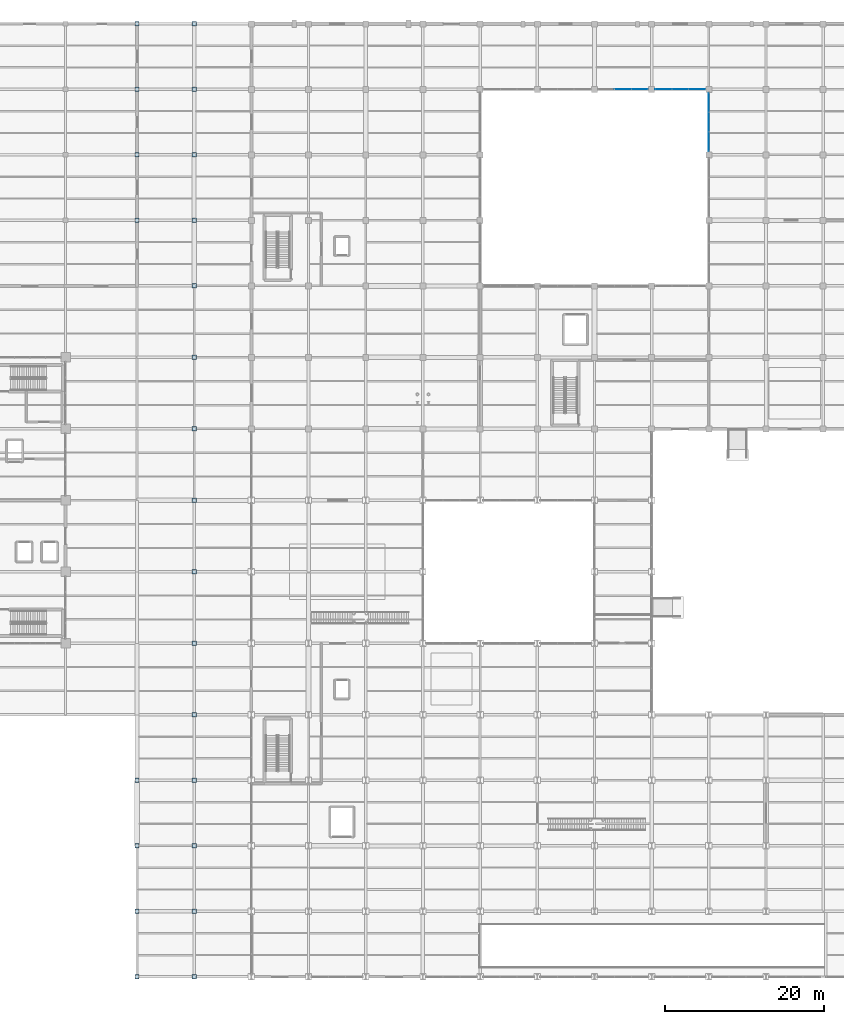
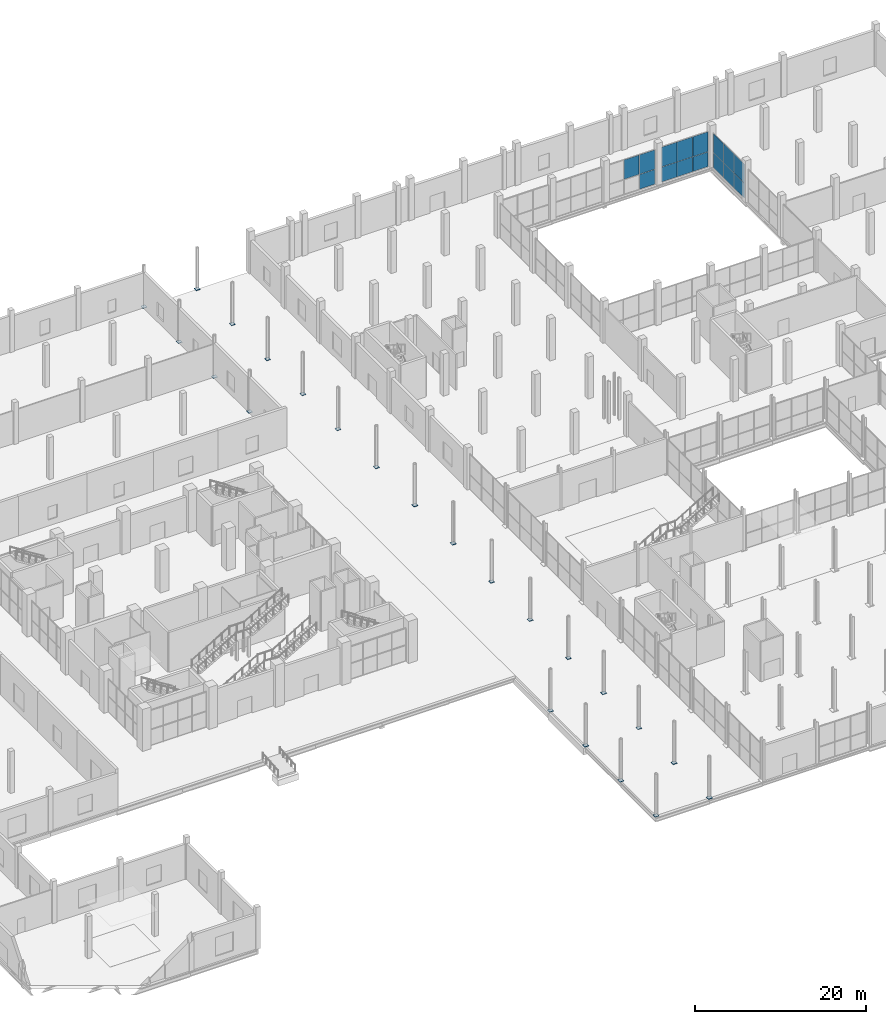
# One storey, part 122 of 144: 38 plates, 3 elements without a shape of their own.
"""IFC4 building model written with IfcOpenShell, lengths in metres."""

from ifc_helpers import new_model, si_unit, direction, frame, origin, origin_2d, place, context, subcontext, project, spatial, rectangle, extrude, material, layer, layer_set, type_object, element, aggregate, save


model = new_model("IFC4")

# Units and contexts
model_context = context("Model", 3, precision=1e-05, world=origin(), true_north=direction((0.0, 1.0)))
body_context = subcontext(model_context, "Body", "Model", "MODEL_VIEW")
ifc_project = project(units=[si_unit("LENGTHUNIT", "METRE"), si_unit("AREAUNIT", "SQUARE_METRE"), si_unit("VOLUMEUNIT", "CUBIC_METRE"), si_unit("PLANEANGLEUNIT", "RADIAN"), si_unit("MASSUNIT", "GRAM", prefix="KILO")], contexts=[model_context])

# Site, building, storey
site_placement = place(None, origin())
site = spatial("IfcSite", under=ifc_project, at=site_placement, CompositionType="ELEMENT")
building_placement = place(site_placement, origin())
building = spatial("IfcBuilding", under=site, at=building_placement, Name="Sundgate Opera House", CompositionType="ELEMENT")
storey_placement = place(building_placement, origin())
storey = spatial("IfcBuildingStorey", under=building, at=storey_placement, Name="L00", CompositionType="ELEMENT", Elevation=0.0)

# Curtain wall, plates
ifc_material_1 = material(Name="Anodized aluminium and low-iron glass", Category="aluminium")
ifc_layer_1 = layer(ifc_material_1, 0.159912109375)
ifc_layer_set_1 = layer_set([ifc_layer_1], Name="Anodized aluminium and low-iron glass")
curtain_wall_type = type_object("IfcCurtainWallType", Name="CW-STUDIO-DARK", PredefinedType="NOTDEFINED", material=ifc_layer_set_1)
curtain_wall_1_placement = place(storey_placement, origin())
curtain_wall_1 = element("IfcCurtainWall", 1, at=curtain_wall_1_placement, inside=storey, type_object=curtain_wall_type, Name="L00 Curtain Wall CW085", PredefinedType="NOTDEFINED")
ifc_material_2 = material(Name="Low-iron triple acoustic glazing", Category="glass")
ifc_layer_2 = layer(ifc_material_2, 0.035888671875)
ifc_layer_set_2 = layer_set([ifc_layer_2], Name="Low-iron triple acoustic glazing")
plate_type_1 = type_object("IfcPlateType", Name="CWP-CLEAR-36", PredefinedType="CURTAIN_PANEL", material=ifc_layer_set_2)
plate_1_placement = place(storey_placement, frame((144.300048828125, 111.75, 0.02001953125), z_axis=(0.0, 0.0, 1.0), x_axis=(-1.0, 0.0, 0.0)))
plate_1 = element("IfcPlate", 2, at=plate_1_placement, type_object=plate_type_1, Name="CW085 Panel 1", PredefinedType="CURTAIN_PANEL", context=body_context, shape_type="SweptSolid", body=[
    extrude(rectangle(XDim=2.06005859375, YDim=0.035888671875, at=origin_2d()), origin(), (0.0, 0.0, 1.0), 2.110107421875),
])
plate_2_placement = place(storey_placement, frame((144.300048828125, 111.75, 2.170166015625), z_axis=(0.0, 0.0, 1.0), x_axis=(-1.0, 0.0, 0.0)))
plate_2 = element("IfcPlate", 3, at=plate_2_placement, type_object=plate_type_1, Name="CW085 Panel 2", PredefinedType="CURTAIN_PANEL", context=body_context, shape_type="SweptSolid", body=[
    extrude(rectangle(XDim=2.06005859375, YDim=0.035888671875, at=origin_2d()), origin(), (0.0, 0.0, 1.0), 2.77490234375),
])
plate_3_placement = place(storey_placement, frame((142.199951171875, 111.75, 2.170166015625), z_axis=(0.0, 0.0, 1.0), x_axis=(-1.0, 0.0, 0.0)))
plate_3 = element("IfcPlate", 4, at=plate_3_placement, type_object=plate_type_1, Name="CW085 Panel 4", PredefinedType="CURTAIN_PANEL", context=body_context, shape_type="SweptSolid", body=[
    extrude(rectangle(XDim=2.06005859375, YDim=0.035888671875, at=origin_2d()), origin(), (0.0, 0.0, 1.0), 2.77490234375),
])
aggregate(curtain_wall_1, [plate_1, plate_2, plate_3])

curtain_wall_2_placement = place(storey_placement, origin())
curtain_wall_2 = element("IfcCurtainWall", 5, at=curtain_wall_2_placement, inside=storey, type_object=curtain_wall_type, Name="L00 Curtain Wall CW087", PredefinedType="NOTDEFINED")
plate_4_placement = place(storey_placement, frame((151.5, 111.75, 0.02001953125), z_axis=(0.0, 0.0, 1.0), x_axis=(-1.0, 0.0, 0.0)))
plate_4 = element("IfcPlate", 6, at=plate_4_placement, type_object=plate_type_1, Name="CW087 Panel 1", PredefinedType="CURTAIN_PANEL", context=body_context, shape_type="SweptSolid", body=[
    extrude(rectangle(XDim=2.06005859375, YDim=0.035888671875, at=origin_2d()), origin(), (0.0, 0.0, 1.0), 2.110107421875),
])
plate_5_placement = place(storey_placement, frame((151.5, 111.75, 2.169921875), z_axis=(0.0, 0.0, 1.0), x_axis=(-1.0, 0.0, 0.0)))
plate_5 = element("IfcPlate", 7, at=plate_5_placement, type_object=plate_type_1, Name="CW087 Panel 2", PredefinedType="CURTAIN_PANEL", context=body_context, shape_type="SweptSolid", body=[
    extrude(rectangle(XDim=2.06005859375, YDim=0.035888671875, at=origin_2d()), origin(), (0.0, 0.0, 1.0), 2.824951171875),
])
plate_6_placement = place(storey_placement, frame((149.39990234375, 111.75, 0.02001953125), z_axis=(0.0, 0.0, 1.0), x_axis=(-1.0, 0.0, 0.0)))
plate_6 = element("IfcPlate", 8, at=plate_6_placement, type_object=plate_type_1, Name="CW087 Panel 3", PredefinedType="CURTAIN_PANEL", context=body_context, shape_type="SweptSolid", body=[
    extrude(rectangle(XDim=2.06005859375, YDim=0.035888671875, at=origin_2d()), origin(), (0.0, 0.0, 1.0), 2.110107421875),
])
plate_7_placement = place(storey_placement, frame((149.39990234375, 111.75, 2.169921875), z_axis=(0.0, 0.0, 1.0), x_axis=(-1.0, 0.0, 0.0)))
plate_7 = element("IfcPlate", 9, at=plate_7_placement, type_object=plate_type_1, Name="CW087 Panel 4", PredefinedType="CURTAIN_PANEL", context=body_context, shape_type="SweptSolid", body=[
    extrude(rectangle(XDim=2.06005859375, YDim=0.035888671875, at=origin_2d()), origin(), (0.0, 0.0, 1.0), 2.824951171875),
])
plate_8_placement = place(storey_placement, frame((147.300048828125, 111.75, 0.02001953125), z_axis=(0.0, 0.0, 1.0), x_axis=(-1.0, 0.0, 0.0)))
plate_8 = element("IfcPlate", 10, at=plate_8_placement, type_object=plate_type_1, Name="CW087 Panel 5", PredefinedType="CURTAIN_PANEL", context=body_context, shape_type="SweptSolid", body=[
    extrude(rectangle(XDim=2.06005859375, YDim=0.035888671875, at=origin_2d()), origin(), (0.0, 0.0, 1.0), 2.110107421875),
])
plate_9_placement = place(storey_placement, frame((147.300048828125, 111.75, 2.169921875), z_axis=(0.0, 0.0, 1.0), x_axis=(-1.0, 0.0, 0.0)))
plate_9 = element("IfcPlate", 11, at=plate_9_placement, type_object=plate_type_1, Name="CW087 Panel 6", PredefinedType="CURTAIN_PANEL", context=body_context, shape_type="SweptSolid", body=[
    extrude(rectangle(XDim=2.06005859375, YDim=0.035888671875, at=origin_2d()), origin(), (0.0, 0.0, 1.0), 2.824951171875),
])
aggregate(curtain_wall_2, [plate_4, plate_5, plate_6, plate_7, plate_8, plate_9])

curtain_wall_3_placement = place(storey_placement, origin())
curtain_wall_3 = element("IfcCurtainWall", 12, at=curtain_wall_3_placement, inside=storey, type_object=curtain_wall_type, Name="L00 Curtain Wall CW093", PredefinedType="NOTDEFINED")
plate_10_placement = place(storey_placement, frame((153.0, 110.074951171875, 0.02001953125), z_axis=(0.0, 0.0, 1.0), x_axis=(0.0, -1.0, 0.0)))
plate_10 = element("IfcPlate", 13, at=plate_10_placement, type_object=plate_type_1, Name="CW093 Panel 1", PredefinedType="CURTAIN_PANEL", context=body_context, shape_type="SweptSolid", body=[
    extrude(rectangle(XDim=2.409912109375, YDim=0.035888671875, at=origin_2d()), origin(), (0.0, 0.0, 1.0), 2.110107421875),
])
plate_11_placement = place(storey_placement, frame((153.0, 110.074951171875, 2.169921875), z_axis=(0.0, 0.0, 1.0), x_axis=(0.0, -1.0, 0.0)))
plate_11 = element("IfcPlate", 14, at=plate_11_placement, type_object=plate_type_1, Name="CW093 Panel 2", PredefinedType="CURTAIN_PANEL", context=body_context, shape_type="SweptSolid", body=[
    extrude(rectangle(XDim=2.409912109375, YDim=0.035888671875, at=origin_2d()), origin(), (0.0, 0.0, 1.0), 2.72509765625),
])
plate_12_placement = place(storey_placement, frame((153.0, 107.625, 0.02001953125), z_axis=(0.0, 0.0, 1.0), x_axis=(0.0, -1.0, 0.0)))
plate_12 = element("IfcPlate", 15, at=plate_12_placement, type_object=plate_type_1, Name="CW093 Panel 3", PredefinedType="CURTAIN_PANEL", context=body_context, shape_type="SweptSolid", body=[
    extrude(rectangle(XDim=2.409912109375, YDim=0.035888671875, at=origin_2d()), origin(), (0.0, 0.0, 1.0), 2.110107421875),
])
plate_13_placement = place(storey_placement, frame((153.0, 107.625, 2.169921875), z_axis=(0.0, 0.0, 1.0), x_axis=(0.0, -1.0, 0.0)))
plate_13 = element("IfcPlate", 16, at=plate_13_placement, type_object=plate_type_1, Name="CW093 Panel 4", PredefinedType="CURTAIN_PANEL", context=body_context, shape_type="SweptSolid", body=[
    extrude(rectangle(XDim=2.409912109375, YDim=0.035888671875, at=origin_2d()), origin(), (0.0, 0.0, 1.0), 2.72509765625),
])
plate_14_placement = place(storey_placement, frame((153.0, 105.175048828125, 0.02001953125), z_axis=(0.0, 0.0, 1.0), x_axis=(0.0, -1.0, 0.0)))
plate_14 = element("IfcPlate", 17, at=plate_14_placement, type_object=plate_type_1, Name="CW093 Panel 5", PredefinedType="CURTAIN_PANEL", context=body_context, shape_type="SweptSolid", body=[
    extrude(rectangle(XDim=2.409912109375, YDim=0.035888671875, at=origin_2d()), origin(), (0.0, 0.0, 1.0), 2.110107421875),
])
plate_15_placement = place(storey_placement, frame((153.0, 105.175048828125, 2.169921875), z_axis=(0.0, 0.0, 1.0), x_axis=(0.0, -1.0, 0.0)))
plate_15 = element("IfcPlate", 18, at=plate_15_placement, type_object=plate_type_1, Name="CW093 Panel 6", PredefinedType="CURTAIN_PANEL", context=body_context, shape_type="SweptSolid", body=[
    extrude(rectangle(XDim=2.409912109375, YDim=0.035888671875, at=origin_2d()), origin(), (0.0, 0.0, 1.0), 2.72509765625),
])
aggregate(curtain_wall_3, [plate_10, plate_11, plate_12, plate_13, plate_14, plate_15])

# Plates
ifc_material_3 = material(Name="Steel S355J2", Category="steel")
ifc_layer_3 = layer(ifc_material_3, 0.02587890625)
ifc_layer_set_3 = layer_set([ifc_layer_3], Name="Steel S355J2")
plate_type_2 = type_object("IfcPlateType", Name="PT-BAS-26", PredefinedType="USERDEFINED", material=ifc_layer_set_3)
for number, where, z_axis, x_axis, name in (
    (19, (81.0, 24.75, 0.0), (0.0, 0.0, 1.0), (1.0, 0.0, 0.0), "L00 Base Plate PT0138"),
    (20, (88.199951171875, 87.0, 0.0), (0.0, 0.0, 1.0), (1.0, 0.0, 0.0), "L00 Base Plate PT0200"),
):
    element("IfcPlate", number, at=place(storey_placement, frame(where, z_axis=z_axis, x_axis=x_axis)), inside=storey, type_object=plate_type_2, Name=name, ObjectType="BASE PLATE", PredefinedType="USERDEFINED", context=body_context, shape_type="SweptSolid", body=[
        extrude(rectangle(XDim=0.5458984375, YDim=0.5458984375, at=origin_2d()), origin(), (0.0, 0.0, 1.0), 0.02587890625),
    ])
ifc_material_4 = material(Name="Steel S355J2", Category="steel")
ifc_layer_4 = layer(ifc_material_4, 0.030029296875)
ifc_layer_set_4 = layer_set([ifc_layer_4], Name="Steel S355J2")
plate_type_3 = type_object("IfcPlateType", Name="PT-BAS-30", PredefinedType="USERDEFINED", material=ifc_layer_set_4)
for number, where, z_axis, x_axis, name in (
    (21, (81.0, 103.5, 0.0), (0.0, 0.0, 1.0), (1.0, 0.0, 0.0), "L00 Base Plate PT0174"),
    (22, (88.199951171875, 16.5, 0.0), (0.0, 0.0, 1.0), (1.0, 0.0, 0.0), "L00 Base Plate PT0184"),
):
    element("IfcPlate", number, at=place(storey_placement, frame(where, z_axis=z_axis, x_axis=x_axis)), inside=storey, type_object=plate_type_3, Name=name, ObjectType="BASE PLATE", PredefinedType="USERDEFINED", context=body_context, shape_type="SweptSolid", body=[
        extrude(rectangle(XDim=0.5458984375, YDim=0.5458984375, at=origin_2d()), origin(), (0.0, 0.0, 1.0), 0.030029296875),
    ])
ifc_material_5 = material(Name="Steel S355J2", Category="steel")
ifc_layer_5 = layer(ifc_material_5, 0.033935546875)
ifc_layer_set_5 = layer_set([ifc_layer_5], Name="Steel S355J2")
plate_type_4 = type_object("IfcPlateType", Name="PT-BAS-34", PredefinedType="USERDEFINED", material=ifc_layer_set_5)
plate_16_placement = place(storey_placement, frame((88.199951171875, 95.25, 0.0), z_axis=(0.0, 0.0, 1.0), x_axis=(1.0, 0.0, 0.0)))
element("IfcPlate", 23, at=plate_16_placement, inside=storey, type_object=plate_type_4, Name="L00 Base Plate PT0202", ObjectType="BASE PLATE", PredefinedType="USERDEFINED", context=body_context, shape_type="SweptSolid", body=[
    extrude(rectangle(XDim=0.5458984375, YDim=0.5458984375, at=origin_2d()), origin(), (0.0, 0.0, 1.0), 0.033935546875),
])
ifc_material_6 = material(Name="Steel S355J2", Category="steel")
ifc_layer_6 = layer(ifc_material_6, 0.035888671875)
ifc_layer_set_6 = layer_set([ifc_layer_6], Name="Steel S355J2")
plate_type_5 = type_object("IfcPlateType", Name="PT-BAS-36", PredefinedType="USERDEFINED", material=ifc_layer_set_6)
for number, where, z_axis, x_axis, name in (
    (24, (81.0, 111.75, 0.0), (0.0, 0.0, 1.0), (1.0, 0.0, 0.0), "L00 Base Plate PT0176"),
    (25, (88.199951171875, 24.75, 0.0), (0.0, 0.0, 1.0), (1.0, 0.0, 0.0), "L00 Base Plate PT0186"),
):
    element("IfcPlate", number, at=place(storey_placement, frame(where, z_axis=z_axis, x_axis=x_axis)), inside=storey, type_object=plate_type_5, Name=name, ObjectType="BASE PLATE", PredefinedType="USERDEFINED", context=body_context, shape_type="SweptSolid", body=[
        extrude(rectangle(XDim=0.5458984375, YDim=0.5458984375, at=origin_2d()), origin(), (0.0, 0.0, 1.0), 0.035888671875),
    ])
ifc_material_7 = material(Name="Steel S355J2", Category="steel")
ifc_layer_7 = layer(ifc_material_7, 0.0400390625)
ifc_layer_set_7 = layer_set([ifc_layer_7], Name="Steel S355J2")
plate_type_6 = type_object("IfcPlateType", Name="PT-BAS-40", PredefinedType="USERDEFINED", material=ifc_layer_set_7)
for number, where, z_axis, x_axis, name in (
    (26, (81.0, 0.0, 0.0), (0.0, 0.0, 1.0), (1.0, 0.0, 0.0), "L00 Base Plate PT0132"),
    (27, (81.0, 120.0, 0.0), (0.0, 0.0, 1.0), (1.0, 0.0, 0.0), "L00 Base Plate PT0178"),
    (28, (88.199951171875, 33.0, 0.0), (0.0, 0.0, 1.0), (1.0, 0.0, 0.0), "L00 Base Plate PT0188"),
    (29, (88.199951171875, 103.5, 0.0), (0.0, 0.0, 1.0), (1.0, 0.0, 0.0), "L00 Base Plate PT0204"),
):
    element("IfcPlate", number, at=place(storey_placement, frame(where, z_axis=z_axis, x_axis=x_axis)), inside=storey, type_object=plate_type_6, Name=name, ObjectType="BASE PLATE", PredefinedType="USERDEFINED", context=body_context, shape_type="SweptSolid", body=[
        extrude(rectangle(XDim=0.5458984375, YDim=0.5458984375, at=origin_2d()), origin(), (0.0, 0.0, 1.0), 0.0400390625),
    ])
ifc_material_8 = material(Name="Steel S355J2", Category="steel")
ifc_layer_8 = layer(ifc_material_8, 0.044921875)
ifc_layer_set_8 = layer_set([ifc_layer_8], Name="Steel S355J2")
plate_type_7 = type_object("IfcPlateType", Name="PT-BAS-45", PredefinedType="USERDEFINED", material=ifc_layer_set_8)
plate_17_placement = place(storey_placement, frame((88.199951171875, 42.0, 0.0), z_axis=(0.0, 0.0, 1.0), x_axis=(1.0, 0.0, 0.0)))
element("IfcPlate", 30, at=plate_17_placement, inside=storey, type_object=plate_type_7, Name="L00 Base Plate PT0190", ObjectType="BASE PLATE", PredefinedType="USERDEFINED", context=body_context, shape_type="SweptSolid", body=[
    extrude(rectangle(XDim=0.5458984375, YDim=0.5458984375, at=origin_2d()), origin(), (0.0, 0.0, 1.0), 0.044921875),
])
ifc_material_9 = material(Name="Steel S355J2", Category="steel")
ifc_layer_9 = layer(ifc_material_9, 0.050048828125)
ifc_layer_set_9 = layer_set([ifc_layer_9], Name="Steel S355J2")
plate_type_8 = type_object("IfcPlateType", Name="PT-BAS-50", PredefinedType="USERDEFINED", material=ifc_layer_set_9)
for number, where, z_axis, x_axis, name in (
    (31, (81.0, 8.25, 0.0), (0.0, 0.0, 1.0), (1.0, 0.0, 0.0), "L00 Base Plate PT0134"),
    (32, (88.199951171875, 51.0, 0.0), (0.0, 0.0, 1.0), (1.0, 0.0, 0.0), "L00 Base Plate PT0192"),
    (33, (88.199951171875, 111.75, 0.0), (0.0, 0.0, 1.0), (1.0, 0.0, 0.0), "L00 Base Plate PT0206"),
):
    element("IfcPlate", number, at=place(storey_placement, frame(where, z_axis=z_axis, x_axis=x_axis)), inside=storey, type_object=plate_type_8, Name=name, ObjectType="BASE PLATE", PredefinedType="USERDEFINED", context=body_context, shape_type="SweptSolid", body=[
        extrude(rectangle(XDim=0.5458984375, YDim=0.5458984375, at=origin_2d()), origin(), (0.0, 0.0, 1.0), 0.050048828125),
    ])
ifc_material_10 = material(Name="Steel S355J2", Category="steel")
ifc_layer_10 = layer(ifc_material_10, 0.055908203125)
ifc_layer_set_10 = layer_set([ifc_layer_10], Name="Steel S355J2")
plate_type_9 = type_object("IfcPlateType", Name="PT-BAS-56", PredefinedType="USERDEFINED", material=ifc_layer_set_10)
for number, where, z_axis, x_axis, name in (
    (34, (81.0, 95.25, 0.0), (0.0, 0.0, 1.0), (1.0, 0.0, 0.0), "L00 Base Plate PT0172"),
    (35, (88.199951171875, 8.25, 0.0), (0.0, 0.0, 1.0), (1.0, 0.0, 0.0), "L00 Base Plate PT0182"),
    (36, (88.199951171875, 78.0, 0.0), (0.0, 0.0, 1.0), (1.0, 0.0, 0.0), "L00 Base Plate PT0198"),
):
    element("IfcPlate", number, at=place(storey_placement, frame(where, z_axis=z_axis, x_axis=x_axis)), inside=storey, type_object=plate_type_9, Name=name, ObjectType="BASE PLATE", PredefinedType="USERDEFINED", context=body_context, shape_type="SweptSolid", body=[
        extrude(rectangle(XDim=0.5458984375, YDim=0.5458984375, at=origin_2d()), origin(), (0.0, 0.0, 1.0), 0.055908203125),
    ])
ifc_material_11 = material(Name="Steel S355J2", Category="steel")
ifc_layer_11 = layer(ifc_material_11, 0.06201171875)
ifc_layer_set_11 = layer_set([ifc_layer_11], Name="Steel S355J2")
plate_type_10 = type_object("IfcPlateType", Name="PT-BAS-62", PredefinedType="USERDEFINED", material=ifc_layer_set_11)
for number, where, z_axis, x_axis, name in (
    (37, (81.0, 16.5, 0.0), (0.0, 0.0, 1.0), (1.0, 0.0, 0.0), "L00 Base Plate PT0136"),
    (38, (88.199951171875, 69.0, 0.0), (0.0, 0.0, 1.0), (1.0, 0.0, 0.0), "L00 Base Plate PT0196"),
):
    element("IfcPlate", number, at=place(storey_placement, frame(where, z_axis=z_axis, x_axis=x_axis)), inside=storey, type_object=plate_type_10, Name=name, ObjectType="BASE PLATE", PredefinedType="USERDEFINED", context=body_context, shape_type="SweptSolid", body=[
        extrude(rectangle(XDim=0.5458984375, YDim=0.5458984375, at=origin_2d()), origin(), (0.0, 0.0, 1.0), 0.06201171875),
    ])
ifc_material_12 = material(Name="Steel S355J2", Category="steel")
ifc_layer_12 = layer(ifc_material_12, 0.068115234375)
ifc_layer_set_12 = layer_set([ifc_layer_12], Name="Steel S355J2")
plate_type_11 = type_object("IfcPlateType", Name="PT-BAS-68", PredefinedType="USERDEFINED", material=ifc_layer_set_12)
for number, where, z_axis, x_axis, name in (
    (39, (88.199951171875, 0.0, 0.0), (0.0, 0.0, 1.0), (1.0, 0.0, 0.0), "L00 Base Plate PT0180"),
    (40, (88.199951171875, 60.0, 0.0), (0.0, 0.0, 1.0), (1.0, 0.0, 0.0), "L00 Base Plate PT0194"),
    (41, (88.199951171875, 120.0, 0.0), (0.0, 0.0, 1.0), (1.0, 0.0, 0.0), "L00 Base Plate PT0208"),
):
    element("IfcPlate", number, at=place(storey_placement, frame(where, z_axis=z_axis, x_axis=x_axis)), inside=storey, type_object=plate_type_11, Name=name, ObjectType="BASE PLATE", PredefinedType="USERDEFINED", context=body_context, shape_type="SweptSolid", body=[
        extrude(rectangle(XDim=0.5458984375, YDim=0.5458984375, at=origin_2d()), origin(), (0.0, 0.0, 1.0), 0.068115234375),
    ])

save(model, "model.ifc")
